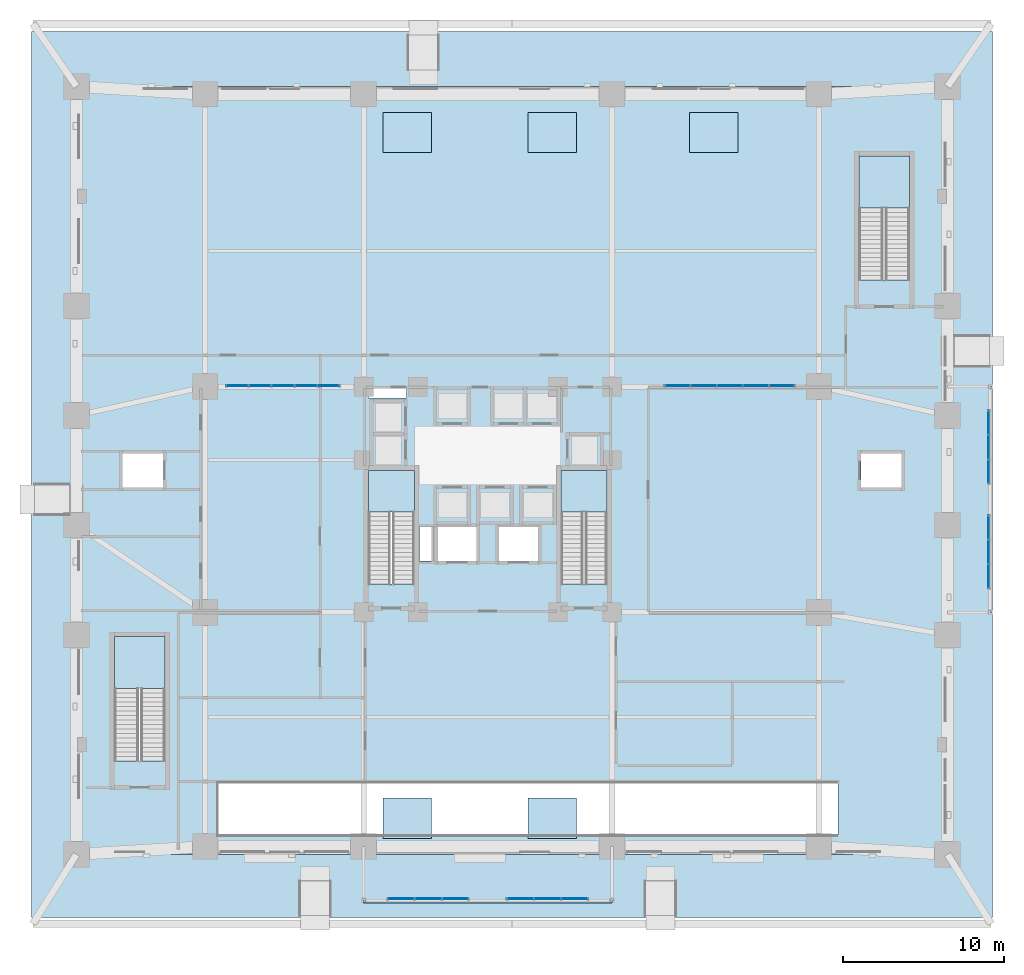
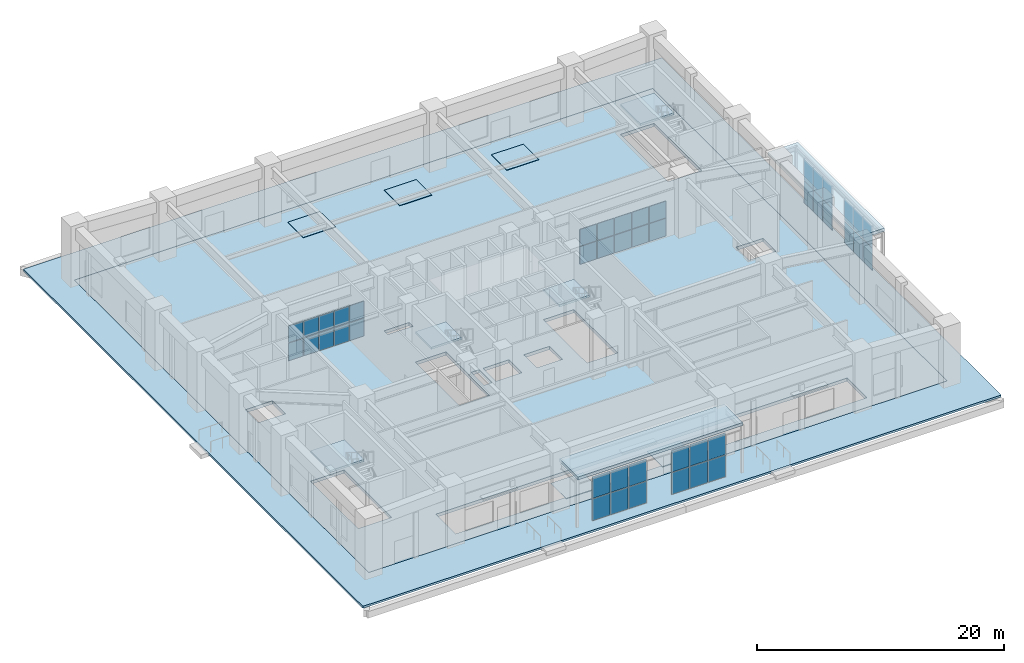
# One storey, part 12 of 24: 44 plates, 13 slabs, 10 elements without a shape of their own.
"""IFC4 building model written with IfcOpenShell, lengths in metres."""

from ifc_helpers import new_model, si_unit, derived_unit, direction, frame, origin, origin_2d, place, context, subcontext, project, spatial, polyline, rectangle, outline, extrude, material, layer, layer_set, type_object, element, aggregate, save


model = new_model("IFC4")

# Units and contexts
model_context = context("Model", 3, precision=1e-05, world=origin(), true_north=direction((0.0, 1.0)))
body_context = subcontext(model_context, "Body", "Model", "MODEL_VIEW")
ifc_project = project(units=[si_unit("LENGTHUNIT", "METRE"), si_unit("AREAUNIT", "SQUARE_METRE"), si_unit("VOLUMEUNIT", "CUBIC_METRE"), si_unit("PLANEANGLEUNIT", "RADIAN"), si_unit("MASSUNIT", "GRAM", prefix="KILO"), derived_unit("THERMALTRANSMITTANCEUNIT", [(si_unit("MASSUNIT", "GRAM", prefix="KILO"), 1), (si_unit("TIMEUNIT", "SECOND"), -3), (si_unit("THERMODYNAMICTEMPERATUREUNIT", "KELVIN"), -1)])], contexts=[model_context])

# Site, building, storey
site_placement = place(None, origin())
site = spatial("IfcSite", under=ifc_project, at=site_placement, CompositionType="ELEMENT")
building_placement = place(site_placement, origin())
building = spatial("IfcBuilding", under=site, at=building_placement, Name="Korrvale Station Residences", CompositionType="ELEMENT")
storey_placement = place(building_placement, origin())
storey = spatial("IfcBuildingStorey", under=building, at=storey_placement, Name="L00", CompositionType="ELEMENT", Elevation=0.0)

# Curtain wall, plates
ifc_material_1 = material(Name="Unitised thermally broken aluminium curtain wall with triple low-e IGU", Category="aluminium")
curtain_wall_type_1 = type_object("IfcCurtainWallType", Name="CW-STN-CON", PredefinedType="NOTDEFINED", material=ifc_material_1)
curtain_wall_1_placement = place(storey_placement, origin())
curtain_wall_1 = element("IfcCurtainWall", 1, at=curtain_wall_1_placement, inside=storey, type_object=curtain_wall_type_1, Name="L00 Curtain Wall CW2-RUN-1", PredefinedType="NOTDEFINED")
ifc_material_2 = material(Name="Triple-glazed low-e argon insulated glass unit", Category="glass")
ifc_layer_1 = layer(ifc_material_2, 0.035888671875, Name="Triple-glazed low-e argon insulated glass unit")
ifc_layer_set_1 = layer_set([ifc_layer_1], Name="Triple-glazed low-e argon insulated glass unit")
plate_type_1 = type_object("IfcPlateType", Name="CW-STN-CON-P", PredefinedType="CURTAIN_PANEL", material=ifc_layer_set_1)
plate_1_placement = place(storey_placement, frame((9.9599609375, 29.050048828125, 0.02978515625), z_axis=(0.0, 0.0, 1.0), x_axis=(1.0, 0.0, 0.0)))
plate_1 = element("IfcPlate", 2, at=plate_1_placement, type_object=plate_type_1, Name="CW-STN-CON Glazing Panel 1-1", PredefinedType="CURTAIN_PANEL", context=body_context, shape_type="SweptSolid", body=[
    extrude(rectangle(XDim=1.360107421875, YDim=0.035888671875, at=origin_2d()), origin(), (0.0, 0.0, 1.0), 1.739990234375),
])
plate_2_placement = place(storey_placement, frame((9.9599609375, 29.050048828125, 1.830078125), z_axis=(0.0, 0.0, 1.0), x_axis=(1.0, 0.0, 0.0)))
plate_2 = element("IfcPlate", 3, at=plate_2_placement, type_object=plate_type_1, Name="CW-STN-CON Glazing Panel 1-2", PredefinedType="CURTAIN_PANEL", context=body_context, shape_type="SweptSolid", body=[
    extrude(rectangle(XDim=1.360107421875, YDim=0.035888671875, at=origin_2d()), origin(), (0.0, 0.0, 1.0), 1.639892578125),
])
plate_3_placement = place(storey_placement, frame((11.3798828125, 29.050048828125, 0.02978515625), z_axis=(0.0, 0.0, 1.0), x_axis=(1.0, 0.0, 0.0)))
plate_3 = element("IfcPlate", 4, at=plate_3_placement, type_object=plate_type_1, Name="CW-STN-CON Glazing Panel 2-1", PredefinedType="CURTAIN_PANEL", context=body_context, shape_type="SweptSolid", body=[
    extrude(rectangle(XDim=1.360107421875, YDim=0.035888671875, at=origin_2d()), origin(), (0.0, 0.0, 1.0), 1.739990234375),
])
plate_4_placement = place(storey_placement, frame((11.3798828125, 29.050048828125, 1.830078125), z_axis=(0.0, 0.0, 1.0), x_axis=(1.0, 0.0, 0.0)))
plate_4 = element("IfcPlate", 5, at=plate_4_placement, type_object=plate_type_1, Name="CW-STN-CON Glazing Panel 2-2", PredefinedType="CURTAIN_PANEL", context=body_context, shape_type="SweptSolid", body=[
    extrude(rectangle(XDim=1.360107421875, YDim=0.035888671875, at=origin_2d()), origin(), (0.0, 0.0, 1.0), 1.639892578125),
])
plate_5_placement = place(storey_placement, frame((12.800048828125, 29.050048828125, 0.02978515625), z_axis=(0.0, 0.0, 1.0), x_axis=(1.0, 0.0, 0.0)))
plate_5 = element("IfcPlate", 6, at=plate_5_placement, type_object=plate_type_1, Name="CW-STN-CON Glazing Panel 3-1", PredefinedType="CURTAIN_PANEL", context=body_context, shape_type="SweptSolid", body=[
    extrude(rectangle(XDim=1.360107421875, YDim=0.035888671875, at=origin_2d()), origin(), (0.0, 0.0, 1.0), 1.739990234375),
])
plate_6_placement = place(storey_placement, frame((12.800048828125, 29.050048828125, 1.830078125), z_axis=(0.0, 0.0, 1.0), x_axis=(1.0, 0.0, 0.0)))
plate_6 = element("IfcPlate", 7, at=plate_6_placement, type_object=plate_type_1, Name="CW-STN-CON Glazing Panel 3-2", PredefinedType="CURTAIN_PANEL", context=body_context, shape_type="SweptSolid", body=[
    extrude(rectangle(XDim=1.360107421875, YDim=0.035888671875, at=origin_2d()), origin(), (0.0, 0.0, 1.0), 1.639892578125),
])
plate_7_placement = place(storey_placement, frame((14.219970703125, 29.050048828125, 0.02978515625), z_axis=(0.0, 0.0, 1.0), x_axis=(1.0, 0.0, 0.0)))
plate_7 = element("IfcPlate", 8, at=plate_7_placement, type_object=plate_type_1, Name="CW-STN-CON Glazing Panel 4-1", PredefinedType="CURTAIN_PANEL", context=body_context, shape_type="SweptSolid", body=[
    extrude(rectangle(XDim=1.360107421875, YDim=0.035888671875, at=origin_2d()), origin(), (0.0, 0.0, 1.0), 1.739990234375),
])
plate_8_placement = place(storey_placement, frame((14.219970703125, 29.050048828125, 1.830078125), z_axis=(0.0, 0.0, 1.0), x_axis=(1.0, 0.0, 0.0)))
plate_8 = element("IfcPlate", 9, at=plate_8_placement, type_object=plate_type_1, Name="CW-STN-CON Glazing Panel 4-2", PredefinedType="CURTAIN_PANEL", context=body_context, shape_type="SweptSolid", body=[
    extrude(rectangle(XDim=1.360107421875, YDim=0.035888671875, at=origin_2d()), origin(), (0.0, 0.0, 1.0), 1.639892578125),
])
plate_9_placement = place(storey_placement, frame((15.639892578125, 29.050048828125, 0.02978515625), z_axis=(0.0, 0.0, 1.0), x_axis=(1.0, 0.0, 0.0)))
plate_9 = element("IfcPlate", 10, at=plate_9_placement, type_object=plate_type_1, Name="CW-STN-CON Glazing Panel 5-1", PredefinedType="CURTAIN_PANEL", context=body_context, shape_type="SweptSolid", body=[
    extrude(rectangle(XDim=1.360107421875, YDim=0.035888671875, at=origin_2d()), origin(), (0.0, 0.0, 1.0), 1.739990234375),
])
plate_10_placement = place(storey_placement, frame((15.639892578125, 29.050048828125, 1.830078125), z_axis=(0.0, 0.0, 1.0), x_axis=(1.0, 0.0, 0.0)))
plate_10 = element("IfcPlate", 11, at=plate_10_placement, type_object=plate_type_1, Name="CW-STN-CON Glazing Panel 5-2", PredefinedType="CURTAIN_PANEL", context=body_context, shape_type="SweptSolid", body=[
    extrude(rectangle(XDim=1.360107421875, YDim=0.035888671875, at=origin_2d()), origin(), (0.0, 0.0, 1.0), 1.639892578125),
])
aggregate(curtain_wall_1, [plate_1, plate_2, plate_3, plate_4, plate_5, plate_6, plate_7, plate_8, plate_9, plate_10])

curtain_wall_2_placement = place(storey_placement, origin())
curtain_wall_2 = element("IfcCurtainWall", 12, at=curtain_wall_2_placement, inside=storey, type_object=curtain_wall_type_1, Name="L00 Curtain Wall CW2-RUN-2", PredefinedType="NOTDEFINED")
plate_11_placement = place(storey_placement, frame((37.260009765625, 29.050048828125, 0.02978515625), z_axis=(0.0, 0.0, 1.0), x_axis=(1.0, 0.0, 0.0)))
plate_11 = element("IfcPlate", 13, at=plate_11_placement, type_object=plate_type_1, Name="CW-STN-CON Glazing Panel 1-1", PredefinedType="CURTAIN_PANEL", context=body_context, shape_type="SweptSolid", body=[
    extrude(rectangle(XDim=1.56005859375, YDim=0.035888671875, at=origin_2d()), origin(), (0.0, 0.0, 1.0), 1.739990234375),
])
plate_12_placement = place(storey_placement, frame((37.260009765625, 29.050048828125, 1.830078125), z_axis=(0.0, 0.0, 1.0), x_axis=(1.0, 0.0, 0.0)))
plate_12 = element("IfcPlate", 14, at=plate_12_placement, type_object=plate_type_1, Name="CW-STN-CON Glazing Panel 1-2", PredefinedType="CURTAIN_PANEL", context=body_context, shape_type="SweptSolid", body=[
    extrude(rectangle(XDim=1.56005859375, YDim=0.035888671875, at=origin_2d()), origin(), (0.0, 0.0, 1.0), 1.639892578125),
])
plate_13_placement = place(storey_placement, frame((38.8798828125, 29.050048828125, 0.02978515625), z_axis=(0.0, 0.0, 1.0), x_axis=(1.0, 0.0, 0.0)))
plate_13 = element("IfcPlate", 15, at=plate_13_placement, type_object=plate_type_1, Name="CW-STN-CON Glazing Panel 2-1", PredefinedType="CURTAIN_PANEL", context=body_context, shape_type="SweptSolid", body=[
    extrude(rectangle(XDim=1.56005859375, YDim=0.035888671875, at=origin_2d()), origin(), (0.0, 0.0, 1.0), 1.739990234375),
])
plate_14_placement = place(storey_placement, frame((38.8798828125, 29.050048828125, 1.830078125), z_axis=(0.0, 0.0, 1.0), x_axis=(1.0, 0.0, 0.0)))
plate_14 = element("IfcPlate", 16, at=plate_14_placement, type_object=plate_type_1, Name="CW-STN-CON Glazing Panel 2-2", PredefinedType="CURTAIN_PANEL", context=body_context, shape_type="SweptSolid", body=[
    extrude(rectangle(XDim=1.56005859375, YDim=0.035888671875, at=origin_2d()), origin(), (0.0, 0.0, 1.0), 1.639892578125),
])
plate_15_placement = place(storey_placement, frame((40.5, 29.050048828125, 0.02978515625), z_axis=(0.0, 0.0, 1.0), x_axis=(1.0, 0.0, 0.0)))
plate_15 = element("IfcPlate", 17, at=plate_15_placement, type_object=plate_type_1, Name="CW-STN-CON Glazing Panel 3-1", PredefinedType="CURTAIN_PANEL", context=body_context, shape_type="SweptSolid", body=[
    extrude(rectangle(XDim=1.56005859375, YDim=0.035888671875, at=origin_2d()), origin(), (0.0, 0.0, 1.0), 1.739990234375),
])
plate_16_placement = place(storey_placement, frame((40.5, 29.050048828125, 1.830078125), z_axis=(0.0, 0.0, 1.0), x_axis=(1.0, 0.0, 0.0)))
plate_16 = element("IfcPlate", 18, at=plate_16_placement, type_object=plate_type_1, Name="CW-STN-CON Glazing Panel 3-2", PredefinedType="CURTAIN_PANEL", context=body_context, shape_type="SweptSolid", body=[
    extrude(rectangle(XDim=1.56005859375, YDim=0.035888671875, at=origin_2d()), origin(), (0.0, 0.0, 1.0), 1.639892578125),
])
plate_17_placement = place(storey_placement, frame((42.1201171875, 29.050048828125, 0.02978515625), z_axis=(0.0, 0.0, 1.0), x_axis=(1.0, 0.0, 0.0)))
plate_17 = element("IfcPlate", 19, at=plate_17_placement, type_object=plate_type_1, Name="CW-STN-CON Glazing Panel 4-1", PredefinedType="CURTAIN_PANEL", context=body_context, shape_type="SweptSolid", body=[
    extrude(rectangle(XDim=1.56005859375, YDim=0.035888671875, at=origin_2d()), origin(), (0.0, 0.0, 1.0), 1.739990234375),
])
plate_18_placement = place(storey_placement, frame((42.1201171875, 29.050048828125, 1.830078125), z_axis=(0.0, 0.0, 1.0), x_axis=(1.0, 0.0, 0.0)))
plate_18 = element("IfcPlate", 20, at=plate_18_placement, type_object=plate_type_1, Name="CW-STN-CON Glazing Panel 4-2", PredefinedType="CURTAIN_PANEL", context=body_context, shape_type="SweptSolid", body=[
    extrude(rectangle(XDim=1.56005859375, YDim=0.035888671875, at=origin_2d()), origin(), (0.0, 0.0, 1.0), 1.639892578125),
])
plate_19_placement = place(storey_placement, frame((43.739990234375, 29.050048828125, 0.02978515625), z_axis=(0.0, 0.0, 1.0), x_axis=(1.0, 0.0, 0.0)))
plate_19 = element("IfcPlate", 21, at=plate_19_placement, type_object=plate_type_1, Name="CW-STN-CON Glazing Panel 5-1", PredefinedType="CURTAIN_PANEL", context=body_context, shape_type="SweptSolid", body=[
    extrude(rectangle(XDim=1.56005859375, YDim=0.035888671875, at=origin_2d()), origin(), (0.0, 0.0, 1.0), 1.739990234375),
])
plate_20_placement = place(storey_placement, frame((43.739990234375, 29.050048828125, 1.830078125), z_axis=(0.0, 0.0, 1.0), x_axis=(1.0, 0.0, 0.0)))
plate_20 = element("IfcPlate", 22, at=plate_20_placement, type_object=plate_type_1, Name="CW-STN-CON Glazing Panel 5-2", PredefinedType="CURTAIN_PANEL", context=body_context, shape_type="SweptSolid", body=[
    extrude(rectangle(XDim=1.56005859375, YDim=0.035888671875, at=origin_2d()), origin(), (0.0, 0.0, 1.0), 1.639892578125),
])
aggregate(curtain_wall_2, [plate_11, plate_12, plate_13, plate_14, plate_15, plate_16, plate_17, plate_18, plate_19, plate_20])

curtain_wall_type_2 = type_object("IfcCurtainWallType", Name="CW-STN-ENT", PredefinedType="NOTDEFINED", material=ifc_material_1)
curtain_wall_3_placement = place(storey_placement, origin())
curtain_wall_3 = element("IfcCurtainWall", 23, at=curtain_wall_3_placement, inside=storey, type_object=curtain_wall_type_2, Name="L00 Curtain Wall CW1-RUN-1", PredefinedType="NOTDEFINED")
ifc_layer_2 = layer(ifc_material_2, 0.035888671875, Name="Triple-glazed low-e argon insulated glass unit")
ifc_layer_set_2 = layer_set([ifc_layer_2], Name="Triple-glazed low-e argon insulated glass unit")
plate_type_2 = type_object("IfcPlateType", Name="CW-STN-ENT-P", PredefinedType="CURTAIN_PANEL", material=ifc_layer_set_2)
plate_21_placement = place(storey_placement, frame((20.10009765625, -2.75, 0.03271484375), z_axis=(0.0, 0.0, 1.0), x_axis=(1.0, 0.0, 0.0)))
plate_21 = element("IfcPlate", 24, at=plate_21_placement, type_object=plate_type_2, Name="CW-STN-ENT Glazing Panel 1-1", PredefinedType="CURTAIN_PANEL", context=body_context, shape_type="SweptSolid", body=[
    extrude(rectangle(XDim=1.635009765625, YDim=0.035888671875, at=origin_2d()), origin(), (0.0, 0.0, 1.0), 2.135009765625),
])
plate_22_placement = place(storey_placement, frame((20.10009765625, -2.75, 2.232421875), z_axis=(0.0, 0.0, 1.0), x_axis=(1.0, 0.0, 0.0)))
plate_22 = element("IfcPlate", 25, at=plate_22_placement, type_object=plate_type_2, Name="CW-STN-ENT Glazing Panel 1-2", PredefinedType="CURTAIN_PANEL", context=body_context, shape_type="SweptSolid", body=[
    extrude(rectangle(XDim=1.635009765625, YDim=0.035888671875, at=origin_2d()), origin(), (0.0, 0.0, 1.0), 2.135009765625),
])
plate_23_placement = place(storey_placement, frame((21.800048828125, -2.75, 0.03271484375), z_axis=(0.0, 0.0, 1.0), x_axis=(1.0, 0.0, 0.0)))
plate_23 = element("IfcPlate", 26, at=plate_23_placement, type_object=plate_type_2, Name="CW-STN-ENT Glazing Panel 2-1", PredefinedType="CURTAIN_PANEL", context=body_context, shape_type="SweptSolid", body=[
    extrude(rectangle(XDim=1.635009765625, YDim=0.035888671875, at=origin_2d()), origin(), (0.0, 0.0, 1.0), 2.135009765625),
])
plate_24_placement = place(storey_placement, frame((21.800048828125, -2.75, 2.232421875), z_axis=(0.0, 0.0, 1.0), x_axis=(1.0, 0.0, 0.0)))
plate_24 = element("IfcPlate", 27, at=plate_24_placement, type_object=plate_type_2, Name="CW-STN-ENT Glazing Panel 2-2", PredefinedType="CURTAIN_PANEL", context=body_context, shape_type="SweptSolid", body=[
    extrude(rectangle(XDim=1.635009765625, YDim=0.035888671875, at=origin_2d()), origin(), (0.0, 0.0, 1.0), 2.135009765625),
])
plate_25_placement = place(storey_placement, frame((23.5, -2.75, 0.03271484375), z_axis=(0.0, 0.0, 1.0), x_axis=(1.0, 0.0, 0.0)))
plate_25 = element("IfcPlate", 28, at=plate_25_placement, type_object=plate_type_2, Name="CW-STN-ENT Glazing Panel 3-1", PredefinedType="CURTAIN_PANEL", context=body_context, shape_type="SweptSolid", body=[
    extrude(rectangle(XDim=1.635009765625, YDim=0.035888671875, at=origin_2d()), origin(), (0.0, 0.0, 1.0), 2.135009765625),
])
plate_26_placement = place(storey_placement, frame((23.5, -2.75, 2.232421875), z_axis=(0.0, 0.0, 1.0), x_axis=(1.0, 0.0, 0.0)))
plate_26 = element("IfcPlate", 29, at=plate_26_placement, type_object=plate_type_2, Name="CW-STN-ENT Glazing Panel 3-2", PredefinedType="CURTAIN_PANEL", context=body_context, shape_type="SweptSolid", body=[
    extrude(rectangle(XDim=1.635009765625, YDim=0.035888671875, at=origin_2d()), origin(), (0.0, 0.0, 1.0), 2.135009765625),
])
aggregate(curtain_wall_3, [plate_21, plate_22, plate_23, plate_24, plate_25, plate_26])

curtain_wall_4_placement = place(storey_placement, origin())
curtain_wall_4 = element("IfcCurtainWall", 30, at=curtain_wall_4_placement, inside=storey, type_object=curtain_wall_type_2, Name="L00 Curtain Wall CW1-RUN-2", PredefinedType="NOTDEFINED")
plate_27_placement = place(storey_placement, frame((27.5, -2.75, 0.03271484375), z_axis=(0.0, 0.0, 1.0), x_axis=(1.0, 0.0, 0.0)))
plate_27 = element("IfcPlate", 31, at=plate_27_placement, type_object=plate_type_2, Name="CW-STN-ENT Glazing Panel 1-1", PredefinedType="CURTAIN_PANEL", context=body_context, shape_type="SweptSolid", body=[
    extrude(rectangle(XDim=1.635009765625, YDim=0.035888671875, at=origin_2d()), origin(), (0.0, 0.0, 1.0), 2.135009765625),
])
plate_28_placement = place(storey_placement, frame((27.5, -2.75, 2.232421875), z_axis=(0.0, 0.0, 1.0), x_axis=(1.0, 0.0, 0.0)))
plate_28 = element("IfcPlate", 32, at=plate_28_placement, type_object=plate_type_2, Name="CW-STN-ENT Glazing Panel 1-2", PredefinedType="CURTAIN_PANEL", context=body_context, shape_type="SweptSolid", body=[
    extrude(rectangle(XDim=1.635009765625, YDim=0.035888671875, at=origin_2d()), origin(), (0.0, 0.0, 1.0), 2.135009765625),
])
plate_29_placement = place(storey_placement, frame((29.199951171875, -2.75, 0.03271484375), z_axis=(0.0, 0.0, 1.0), x_axis=(1.0, 0.0, 0.0)))
plate_29 = element("IfcPlate", 33, at=plate_29_placement, type_object=plate_type_2, Name="CW-STN-ENT Glazing Panel 2-1", PredefinedType="CURTAIN_PANEL", context=body_context, shape_type="SweptSolid", body=[
    extrude(rectangle(XDim=1.635009765625, YDim=0.035888671875, at=origin_2d()), origin(), (0.0, 0.0, 1.0), 2.135009765625),
])
plate_30_placement = place(storey_placement, frame((29.199951171875, -2.75, 2.232421875), z_axis=(0.0, 0.0, 1.0), x_axis=(1.0, 0.0, 0.0)))
plate_30 = element("IfcPlate", 34, at=plate_30_placement, type_object=plate_type_2, Name="CW-STN-ENT Glazing Panel 2-2", PredefinedType="CURTAIN_PANEL", context=body_context, shape_type="SweptSolid", body=[
    extrude(rectangle(XDim=1.635009765625, YDim=0.035888671875, at=origin_2d()), origin(), (0.0, 0.0, 1.0), 2.135009765625),
])
plate_31_placement = place(storey_placement, frame((30.89990234375, -2.75, 0.03271484375), z_axis=(0.0, 0.0, 1.0), x_axis=(1.0, 0.0, 0.0)))
plate_31 = element("IfcPlate", 35, at=plate_31_placement, type_object=plate_type_2, Name="CW-STN-ENT Glazing Panel 3-1", PredefinedType="CURTAIN_PANEL", context=body_context, shape_type="SweptSolid", body=[
    extrude(rectangle(XDim=1.635009765625, YDim=0.035888671875, at=origin_2d()), origin(), (0.0, 0.0, 1.0), 2.135009765625),
])
plate_32_placement = place(storey_placement, frame((30.89990234375, -2.75, 2.232421875), z_axis=(0.0, 0.0, 1.0), x_axis=(1.0, 0.0, 0.0)))
plate_32 = element("IfcPlate", 36, at=plate_32_placement, type_object=plate_type_2, Name="CW-STN-ENT Glazing Panel 3-2", PredefinedType="CURTAIN_PANEL", context=body_context, shape_type="SweptSolid", body=[
    extrude(rectangle(XDim=1.635009765625, YDim=0.035888671875, at=origin_2d()), origin(), (0.0, 0.0, 1.0), 2.135009765625),
])
aggregate(curtain_wall_4, [plate_27, plate_28, plate_29, plate_30, plate_31, plate_32])

curtain_wall_5_placement = place(storey_placement, origin())
curtain_wall_5 = element("IfcCurtainWall", 37, at=curtain_wall_5_placement, inside=storey, type_object=curtain_wall_type_2, Name="L00 Curtain Wall CW1-RUN-3", PredefinedType="NOTDEFINED")
plate_33_placement = place(storey_placement, frame((56.550048828125, 17.216796875, 0.03271484375), z_axis=(0.0, 0.0, 1.0), x_axis=(0.0, 1.0, 0.0)))
plate_33 = element("IfcPlate", 38, at=plate_33_placement, type_object=plate_type_2, Name="CW-STN-ENT Glazing Panel 1-1", PredefinedType="CURTAIN_PANEL", context=body_context, shape_type="SweptSolid", body=[
    extrude(rectangle(XDim=1.46826171875, YDim=0.035888671875, at=origin_2d()), origin(), (0.0, 0.0, 1.0), 2.135009765625),
])
plate_34_placement = place(storey_placement, frame((56.550048828125, 17.216796875, 2.232421875), z_axis=(0.0, 0.0, 1.0), x_axis=(0.0, 1.0, 0.0)))
plate_34 = element("IfcPlate", 39, at=plate_34_placement, type_object=plate_type_2, Name="CW-STN-ENT Glazing Panel 1-2", PredefinedType="CURTAIN_PANEL", context=body_context, shape_type="SweptSolid", body=[
    extrude(rectangle(XDim=1.46826171875, YDim=0.035888671875, at=origin_2d()), origin(), (0.0, 0.0, 1.0), 2.135009765625),
])
plate_35_placement = place(storey_placement, frame((56.550048828125, 18.75, 0.03271484375), z_axis=(0.0, 0.0, 1.0), x_axis=(0.0, 1.0, 0.0)))
plate_35 = element("IfcPlate", 40, at=plate_35_placement, type_object=plate_type_2, Name="CW-STN-ENT Glazing Panel 2-1", PredefinedType="CURTAIN_PANEL", context=body_context, shape_type="SweptSolid", body=[
    extrude(rectangle(XDim=1.46826171875, YDim=0.035888671875, at=origin_2d()), origin(), (0.0, 0.0, 1.0), 2.135009765625),
])
plate_36_placement = place(storey_placement, frame((56.550048828125, 18.75, 2.232421875), z_axis=(0.0, 0.0, 1.0), x_axis=(0.0, 1.0, 0.0)))
plate_36 = element("IfcPlate", 41, at=plate_36_placement, type_object=plate_type_2, Name="CW-STN-ENT Glazing Panel 2-2", PredefinedType="CURTAIN_PANEL", context=body_context, shape_type="SweptSolid", body=[
    extrude(rectangle(XDim=1.46826171875, YDim=0.035888671875, at=origin_2d()), origin(), (0.0, 0.0, 1.0), 2.135009765625),
])
plate_37_placement = place(storey_placement, frame((56.550048828125, 20.283203125, 0.03271484375), z_axis=(0.0, 0.0, 1.0), x_axis=(0.0, 1.0, 0.0)))
plate_37 = element("IfcPlate", 42, at=plate_37_placement, type_object=plate_type_2, Name="CW-STN-ENT Glazing Panel 3-1", PredefinedType="CURTAIN_PANEL", context=body_context, shape_type="SweptSolid", body=[
    extrude(rectangle(XDim=1.46826171875, YDim=0.035888671875, at=origin_2d()), origin(), (0.0, 0.0, 1.0), 2.135009765625),
])
plate_38_placement = place(storey_placement, frame((56.550048828125, 20.283203125, 2.232421875), z_axis=(0.0, 0.0, 1.0), x_axis=(0.0, 1.0, 0.0)))
plate_38 = element("IfcPlate", 43, at=plate_38_placement, type_object=plate_type_2, Name="CW-STN-ENT Glazing Panel 3-2", PredefinedType="CURTAIN_PANEL", context=body_context, shape_type="SweptSolid", body=[
    extrude(rectangle(XDim=1.46826171875, YDim=0.035888671875, at=origin_2d()), origin(), (0.0, 0.0, 1.0), 2.135009765625),
])
aggregate(curtain_wall_5, [plate_33, plate_34, plate_35, plate_36, plate_37, plate_38])

curtain_wall_6_placement = place(storey_placement, origin())
curtain_wall_6 = element("IfcCurtainWall", 44, at=curtain_wall_6_placement, inside=storey, type_object=curtain_wall_type_2, Name="L00 Curtain Wall CW1-RUN-4", PredefinedType="NOTDEFINED")
plate_39_placement = place(storey_placement, frame((56.550048828125, 23.716796875, 0.03271484375), z_axis=(0.0, 0.0, 1.0), x_axis=(0.0, 1.0, 0.0)))
plate_39 = element("IfcPlate", 45, at=plate_39_placement, type_object=plate_type_2, Name="CW-STN-ENT Glazing Panel 1-1", PredefinedType="CURTAIN_PANEL", context=body_context, shape_type="SweptSolid", body=[
    extrude(rectangle(XDim=1.46826171875, YDim=0.035888671875, at=origin_2d()), origin(), (0.0, 0.0, 1.0), 2.135009765625),
])
plate_40_placement = place(storey_placement, frame((56.550048828125, 23.716796875, 2.232421875), z_axis=(0.0, 0.0, 1.0), x_axis=(0.0, 1.0, 0.0)))
plate_40 = element("IfcPlate", 46, at=plate_40_placement, type_object=plate_type_2, Name="CW-STN-ENT Glazing Panel 1-2", PredefinedType="CURTAIN_PANEL", context=body_context, shape_type="SweptSolid", body=[
    extrude(rectangle(XDim=1.46826171875, YDim=0.035888671875, at=origin_2d()), origin(), (0.0, 0.0, 1.0), 2.135009765625),
])
plate_41_placement = place(storey_placement, frame((56.550048828125, 25.25, 0.03271484375), z_axis=(0.0, 0.0, 1.0), x_axis=(0.0, 1.0, 0.0)))
plate_41 = element("IfcPlate", 47, at=plate_41_placement, type_object=plate_type_2, Name="CW-STN-ENT Glazing Panel 2-1", PredefinedType="CURTAIN_PANEL", context=body_context, shape_type="SweptSolid", body=[
    extrude(rectangle(XDim=1.46826171875, YDim=0.035888671875, at=origin_2d()), origin(), (0.0, 0.0, 1.0), 2.135009765625),
])
plate_42_placement = place(storey_placement, frame((56.550048828125, 25.25, 2.232421875), z_axis=(0.0, 0.0, 1.0), x_axis=(0.0, 1.0, 0.0)))
plate_42 = element("IfcPlate", 48, at=plate_42_placement, type_object=plate_type_2, Name="CW-STN-ENT Glazing Panel 2-2", PredefinedType="CURTAIN_PANEL", context=body_context, shape_type="SweptSolid", body=[
    extrude(rectangle(XDim=1.46826171875, YDim=0.035888671875, at=origin_2d()), origin(), (0.0, 0.0, 1.0), 2.135009765625),
])
plate_43_placement = place(storey_placement, frame((56.550048828125, 26.783203125, 0.03271484375), z_axis=(0.0, 0.0, 1.0), x_axis=(0.0, 1.0, 0.0)))
plate_43 = element("IfcPlate", 49, at=plate_43_placement, type_object=plate_type_2, Name="CW-STN-ENT Glazing Panel 3-1", PredefinedType="CURTAIN_PANEL", context=body_context, shape_type="SweptSolid", body=[
    extrude(rectangle(XDim=1.46826171875, YDim=0.035888671875, at=origin_2d()), origin(), (0.0, 0.0, 1.0), 2.135009765625),
])
plate_44_placement = place(storey_placement, frame((56.550048828125, 26.783203125, 2.232421875), z_axis=(0.0, 0.0, 1.0), x_axis=(0.0, 1.0, 0.0)))
plate_44 = element("IfcPlate", 50, at=plate_44_placement, type_object=plate_type_2, Name="CW-STN-ENT Glazing Panel 3-2", PredefinedType="CURTAIN_PANEL", context=body_context, shape_type="SweptSolid", body=[
    extrude(rectangle(XDim=1.46826171875, YDim=0.035888671875, at=origin_2d()), origin(), (0.0, 0.0, 1.0), 2.135009765625),
])
aggregate(curtain_wall_6, [plate_39, plate_40, plate_41, plate_42, plate_43, plate_44])

# Slab
ifc_material_3 = material(Name="Concrete C50/60", Category="concrete")
ifc_layer_3 = layer(ifc_material_3, 0.320068359375, Name="Concrete C50/60")
ifc_layer_set_3 = layer_set([ifc_layer_3], Name="Concrete C50/60")
slab_type_1 = type_object("IfcSlabType", Name="SLB-FLR-320", PredefinedType="FLOOR", material=ifc_layer_set_3)
slab_1_placement = place(storey_placement, frame((0.0, 0.0, -0.320068359375)))
element("IfcSlab", 51, at=slab_1_placement, inside=storey, type_object=slab_type_1, Name="L00 Suspended Structural Floor Slab", PredefinedType="FLOOR", context=body_context, shape_type="SweptSolid", body=[
    extrude(outline(polyline([(0.0, 0.0), (54.0, 0.0), (54.0, 47.60009765625), (0.0, 47.60009765625), (0.0, 0.0)]), holes=[polyline([(20.949951171875, 16.751953125), (20.949951171875, 23.800048828125), (18.10009765625, 23.800048828125), (18.10009765625, 16.751953125), (20.949951171875, 16.751953125)]), polyline([(32.89990234375, 16.751953125), (32.89990234375, 23.800048828125), (30.050048828125, 23.800048828125), (30.050048828125, 16.751953125), (32.89990234375, 16.751953125)]), polyline([(5.5, 5.802001953125), (5.5, 13.5), (2.35009765625, 13.5), (2.35009765625, 5.802001953125), (5.5, 5.802001953125)]), polyline([(51.64990234375, 35.60205078125), (51.64990234375, 43.300048828125), (48.5, 43.300048828125), (48.5, 35.60205078125), (51.64990234375, 35.60205078125)]), polyline([(22.39990234375, 18.199951171875), (24.800048828125, 18.199951171875), (24.800048828125, 20.300048828125), (22.39990234375, 20.300048828125), (22.39990234375, 18.199951171875)]), polyline([(26.199951171875, 18.199951171875), (28.60009765625, 18.199951171875), (28.60009765625, 20.300048828125), (26.199951171875, 20.300048828125), (26.199951171875, 18.199951171875)]), polyline([(2.85009765625, 22.75), (5.35009765625, 22.75), (5.35009765625, 24.85009765625), (2.85009765625, 24.85009765625), (2.85009765625, 22.75)]), polyline([(48.64990234375, 22.75), (51.14990234375, 22.75), (51.14990234375, 24.85009765625), (48.64990234375, 24.85009765625), (48.64990234375, 22.75)]), polyline([(18.10009765625, 28.280029296875), (20.449951171875, 28.280029296875), (20.449951171875, 28.8798828125), (18.10009765625, 28.8798828125), (18.10009765625, 28.280029296875)]), polyline([(21.280029296875, 18.199951171875), (22.02001953125, 18.199951171875), (22.02001953125, 20.300048828125), (21.280029296875, 20.300048828125), (21.280029296875, 18.199951171875)]), polyline([(8.800048828125, 1.199951171875), (47.199951171875, 1.199951171875), (47.199951171875, 4.39990234375), (8.800048828125, 4.39990234375), (8.800048828125, 1.199951171875)])]), origin(), (0.0, 0.0, 1.0), 0.320068359375),
])

# Stair, slab
stair_type_1 = type_object("IfcStairType", Name="STR-DL-1350-34R-1765", PredefinedType="HALF_TURN_STAIR", material=ifc_material_3)
stair_1_placement = place(storey_placement, origin())
stair_1 = element("IfcStair", 52, at=stair_1_placement, inside=storey, type_object=stair_type_1, Name="L00 Exit Stair 1", PredefinedType="HALF_TURN_STAIR")
ifc_layer_4 = layer(ifc_material_3, 0.199951171875, Name="Concrete C50/60")
ifc_layer_set_4 = layer_set([ifc_layer_4], Name="Concrete C50/60")
slab_type_2 = type_object("IfcSlabType", Name="SLB-LND-200", PredefinedType="LANDING", material=ifc_layer_set_4)
slab_2_placement = place(storey_placement, frame((0.0, 0.0, 2.800048828125)))
slab_2 = element("IfcSlab", 53, at=slab_2_placement, type_object=slab_type_2, Name="ST-1 landing 1", PredefinedType="LANDING", context=body_context, shape_type="SweptSolid", body=[
    extrude(outline(polyline([(20.949951171875, 21.22998046875), (20.949951171875, 23.800048828125), (18.10009765625, 23.800048828125), (18.10009765625, 21.22998046875), (20.949951171875, 21.22998046875)])), origin(), (0.0, 0.0, 1.0), 0.199951171875),
])
aggregate(stair_1, [slab_2])

stair_2_placement = place(storey_placement, origin())
stair_2 = element("IfcStair", 54, at=stair_2_placement, inside=storey, type_object=stair_type_1, Name="L00 Exit Stair 2", PredefinedType="HALF_TURN_STAIR")
slab_3_placement = place(storey_placement, frame((0.0, 0.0, 2.800048828125)))
slab_3 = element("IfcSlab", 55, at=slab_3_placement, type_object=slab_type_2, Name="ST-2 landing 1", PredefinedType="LANDING", context=body_context, shape_type="SweptSolid", body=[
    extrude(outline(polyline([(32.89990234375, 21.22998046875), (32.89990234375, 23.800048828125), (30.050048828125, 23.800048828125), (30.050048828125, 21.22998046875), (32.89990234375, 21.22998046875)])), origin(), (0.0, 0.0, 1.0), 0.199951171875),
])
aggregate(stair_2, [slab_3])

stair_type_2 = type_object("IfcStairType", Name="STR-DL-1500-34R-1765", PredefinedType="HALF_TURN_STAIR", material=ifc_material_3)
stair_3_placement = place(storey_placement, origin())
stair_3 = element("IfcStair", 56, at=stair_3_placement, inside=storey, type_object=stair_type_2, Name="L00 Station Exit Stair 3", PredefinedType="HALF_TURN_STAIR")
slab_4_placement = place(storey_placement, frame((0.0, 0.0, 2.800048828125)))
slab_4 = element("IfcSlab", 57, at=slab_4_placement, type_object=slab_type_2, Name="ST-3 landing 1", PredefinedType="LANDING", context=body_context, shape_type="SweptSolid", body=[
    extrude(outline(polyline([(5.5, 10.280029296875), (5.5, 13.5), (2.35009765625, 13.5), (2.35009765625, 10.280029296875), (5.5, 10.280029296875)])), origin(), (0.0, 0.0, 1.0), 0.199951171875),
])
aggregate(stair_3, [slab_4])

stair_4_placement = place(storey_placement, origin())
stair_4 = element("IfcStair", 58, at=stair_4_placement, inside=storey, type_object=stair_type_2, Name="L00 Station Exit Stair 4", PredefinedType="HALF_TURN_STAIR")
slab_5_placement = place(storey_placement, frame((0.0, 0.0, 2.800048828125)))
slab_5 = element("IfcSlab", 59, at=slab_5_placement, type_object=slab_type_2, Name="ST-4 landing 1", PredefinedType="LANDING", context=body_context, shape_type="SweptSolid", body=[
    extrude(outline(polyline([(51.64990234375, 40.080078125), (51.64990234375, 43.300048828125), (48.5, 43.300048828125), (48.5, 40.080078125), (51.64990234375, 40.080078125)])), origin(), (0.0, 0.0, 1.0), 0.199951171875),
])
aggregate(stair_4, [slab_5])

# Slabs
ifc_material_4 = material(Name="Honed granite paving slab", Category="masonry")
ifc_layer_5 = layer(ifc_material_4, 0.199951171875, Name="Honed granite paving slab")
ifc_layer_set_5 = layer_set([ifc_layer_5], Name="Honed granite paving slab")
slab_type_3 = type_object("IfcSlabType", Name="SLB-PAV-200", PredefinedType="USERDEFINED", material=ifc_layer_set_5)
slab_6_placement = place(storey_placement, frame((0.0, 0.0, -0.199951171875)))
element("IfcSlab", 60, at=slab_6_placement, inside=storey, type_object=slab_type_3, Name="Station Forecourt Granite Paving Ring", ObjectType="PAVING", PredefinedType="USERDEFINED", context=body_context, shape_type="SweptSolid", body=[
    extrude(outline(polyline([(-2.800048828125, -3.89990234375), (56.800048828125, -3.89990234375), (56.800048828125, 51.0), (-2.800048828125, 51.0), (-2.800048828125, -3.89990234375)]), holes=[polyline([(0.0, 0.0), (54.0, 0.0), (54.0, 47.60009765625), (0.0, 47.60009765625), (0.0, 0.0)])]), origin(), (0.0, 0.0, 1.0), 0.199951171875),
])
slab_7_placement = place(storey_placement, origin())
element("IfcSlab", 61, at=slab_7_placement, inside=storey, type_object=slab_type_3, Name="Station Vestibule Granite Threshold 1", ObjectType="PAVING", PredefinedType="USERDEFINED", context=body_context, shape_type="SweptSolid", body=[
    extrude(outline(polyline([(19.0, 1.0), (22.0, 1.0), (22.0, 3.5), (19.0, 3.5), (19.0, 1.0)])), origin(), (0.0, 0.0, 1.0), 0.0400390625),
])
slab_8_placement = place(storey_placement, origin())
element("IfcSlab", 62, at=slab_8_placement, inside=storey, type_object=slab_type_3, Name="Station Vestibule Granite Threshold 2", ObjectType="PAVING", PredefinedType="USERDEFINED", context=body_context, shape_type="SweptSolid", body=[
    extrude(outline(polyline([(28.0, 1.0), (31.0, 1.0), (31.0, 3.5), (28.0, 3.5), (28.0, 1.0)])), origin(), (0.0, 0.0, 1.0), 0.0400390625),
])
slab_9_placement = place(storey_placement, origin())
element("IfcSlab", 63, at=slab_9_placement, inside=storey, type_object=slab_type_3, Name="Station Vestibule Granite Threshold 3", ObjectType="PAVING", PredefinedType="USERDEFINED", context=body_context, shape_type="SweptSolid", body=[
    extrude(outline(polyline([(19.0, 43.5), (22.0, 43.5), (22.0, 46.0), (19.0, 46.0), (19.0, 43.5)])), origin(), (0.0, 0.0, 1.0), 0.0400390625),
])
slab_10_placement = place(storey_placement, origin())
element("IfcSlab", 64, at=slab_10_placement, inside=storey, type_object=slab_type_3, Name="Station Vestibule Granite Threshold 4", ObjectType="PAVING", PredefinedType="USERDEFINED", context=body_context, shape_type="SweptSolid", body=[
    extrude(outline(polyline([(28.0, 43.5), (31.0, 43.5), (31.0, 46.0), (28.0, 46.0), (28.0, 43.5)])), origin(), (0.0, 0.0, 1.0), 0.0400390625),
])
slab_11_placement = place(storey_placement, origin())
element("IfcSlab", 65, at=slab_11_placement, inside=storey, type_object=slab_type_3, Name="Station Vestibule Granite Threshold 5", ObjectType="PAVING", PredefinedType="USERDEFINED", context=body_context, shape_type="SweptSolid", body=[
    extrude(outline(polyline([(38.0, 43.5), (41.0, 43.5), (41.0, 46.0), (38.0, 46.0), (38.0, 43.5)])), origin(), (0.0, 0.0, 1.0), 0.0400390625),
])
ifc_layer_6 = layer(ifc_material_3, 0.300048828125, Name="Concrete C50/60")
ifc_layer_set_6 = layer_set([ifc_layer_6], Name="Concrete C50/60")
slab_type_4 = type_object("IfcSlabType", Name="SLB-ROOF-300", PredefinedType="ROOF", material=ifc_layer_set_6)
slab_12_placement = place(storey_placement, frame((0.0, 0.0, 4.699951171875)))
element("IfcSlab", 66, at=slab_12_placement, inside=storey, type_object=slab_type_4, Name="Station South Entrance Canopy Structural Deck", PredefinedType="ROOF", context=body_context, shape_type="SweptSolid", body=[
    extrude(outline(polyline([(17.800048828125, -3.0), (33.199951171875, -3.0), (33.199951171875, 0.0), (17.800048828125, 0.0), (17.800048828125, -3.0)])), origin(), (0.0, 0.0, 1.0), 0.300048828125),
])
slab_13_placement = place(storey_placement, frame((0.0, 0.0, 4.699951171875)))
element("IfcSlab", 67, at=slab_13_placement, inside=storey, type_object=slab_type_4, Name="Station East Entrance Canopy Structural Deck", PredefinedType="ROOF", context=body_context, shape_type="SweptSolid", body=[
    extrude(outline(polyline([(54.0, 15.0), (56.800048828125, 15.0), (56.800048828125, 29.0), (54.0, 29.0), (54.0, 15.0)])), origin(), (0.0, 0.0, 1.0), 0.300048828125),
])

save(model, "model.ifc")
